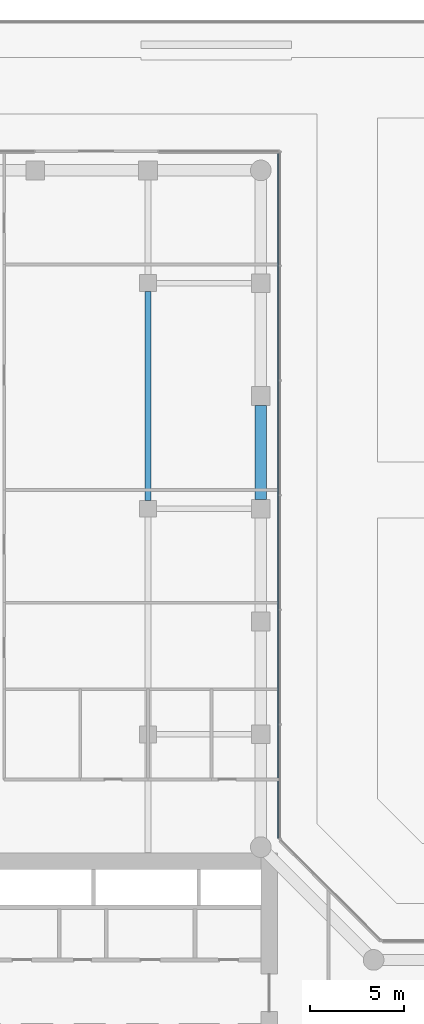
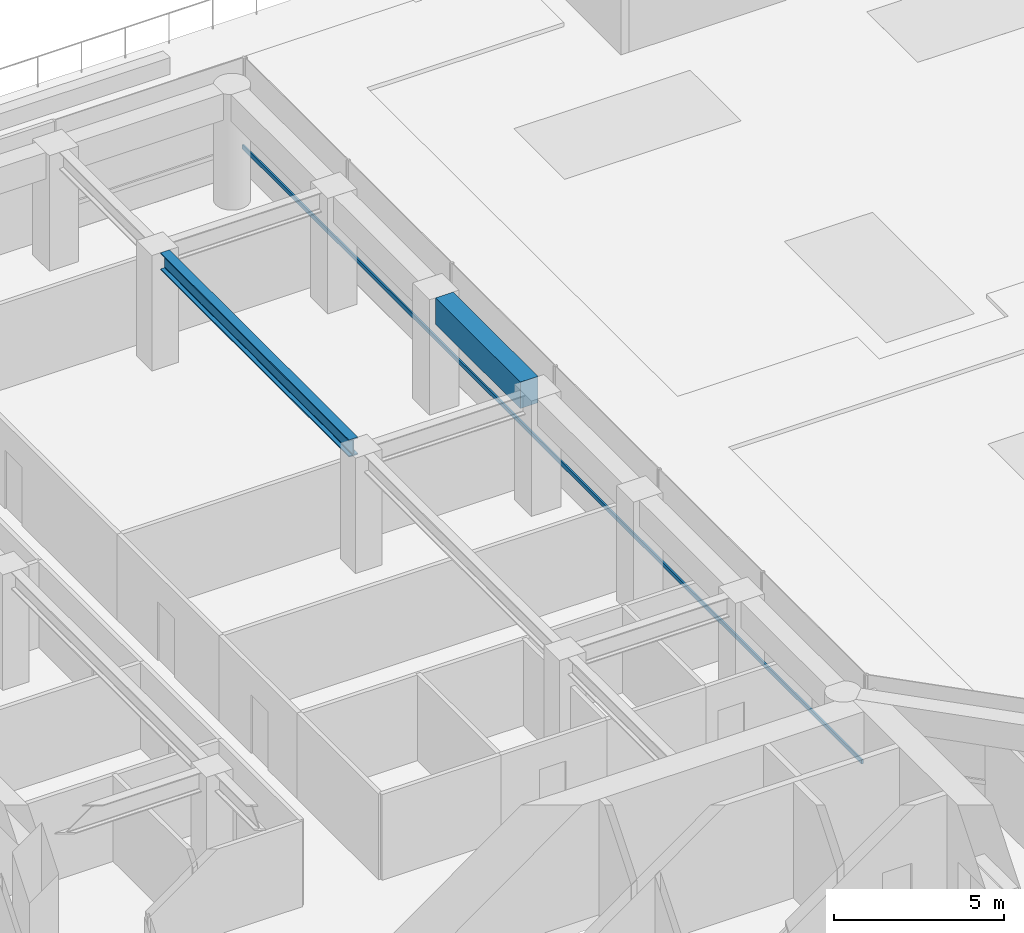
# One storey, part 17 of 31: 2 beams, 1 member, 1 element without a shape of its own.
"""IFC4 building model written with IfcOpenShell, lengths in metres."""

from ifc_helpers import new_model, si_unit, direction, frame, origin, origin_2d, place, context, subcontext, project, spatial, rectangle, i_section, extrude, material, layer, layer_set, material_profile, profile_set, type_object, element, aggregate, save


model = new_model("IFC4")

# Units and contexts
model_context = context("Model", 3, precision=1e-05, world=origin(), true_north=direction((0.0, 1.0)))
body_context = subcontext(model_context, "Body", "Model", "MODEL_VIEW")
ifc_project = project(units=[si_unit("LENGTHUNIT", "METRE"), si_unit("AREAUNIT", "SQUARE_METRE"), si_unit("VOLUMEUNIT", "CUBIC_METRE"), si_unit("PLANEANGLEUNIT", "RADIAN"), si_unit("MASSUNIT", "GRAM", prefix="KILO")], contexts=[model_context])

# Site, building, storey
site_placement = place(None, origin())
site = spatial("IfcSite", under=ifc_project, at=site_placement, CompositionType="ELEMENT")
building_placement = place(site_placement, origin())
building = spatial("IfcBuilding", under=site, at=building_placement, Name="Welwitschia Terrace Campus", CompositionType="ELEMENT")
storey_placement = place(building_placement, frame((0.0, 0.0, 11.0)))
storey = spatial("IfcBuildingStorey", under=building, at=storey_placement, Name="L02", CompositionType="ELEMENT", Elevation=11.0)

# Beams
ifc_material_1 = material(Name="Steel S355", Category="steel")
ifc_material_profile_1 = material_profile(ifc_material_1, i_section(OverallWidth=0.304931640625, OverallDepth=0.6201171875, WebThickness=0.02099609375, FlangeThickness=0.0400390625, FilletRadius=0.027099609375, at=origin_2d()))
ifc_profile_set_1 = profile_set([ifc_material_profile_1], Name="Steel S355")
beam_type_1 = type_object("IfcBeamType", Name="Interior girder HE 600 M", PredefinedType="BEAM", material=ifc_profile_set_1)
beam_1_placement = place(storey_placement, frame((18.0, 44.450439453125, 3.840087890625), z_axis=(0.0, 1.0, 0.0), x_axis=(-1.0, 0.0, 0.0)))
element("IfcBeam", 1, at=beam_1_placement, inside=storey, type_object=beam_type_1, Name="Girder GB1", PredefinedType="BEAM", context=body_context, shape_type="SweptSolid", body=[
    extrude(i_section(OverallWidth=0.304931640625, OverallDepth=0.6201171875, WebThickness=0.02099609375, FlangeThickness=0.0400390625, FilletRadius=0.027099609375, at=origin_2d()), origin(), (0.0, 0.0, 1.0), 11.09912109375),
])
ifc_material_2 = material(Name="Concrete C60/75", Category="concrete")
ifc_material_profile_2 = material_profile(ifc_material_2, rectangle(XDim=0.60009765625, YDim=0.949951171875, at=origin_2d()))
ifc_profile_set_2 = profile_set([ifc_material_profile_2], Name="Concrete C60/75")
beam_type_2 = type_object("IfcBeamType", Name="Ring spandrel 600x950", PredefinedType="SPANDREL", material=ifc_profile_set_2)
beam_2_placement = place(storey_placement, frame((24.0, 44.50048828125, 3.675048828125), z_axis=(0.0, 1.0, 0.0), x_axis=(-1.0, 0.0, 0.0)))
element("IfcBeam", 2, at=beam_2_placement, inside=storey, type_object=beam_type_2, Name="Spandrel SP1", PredefinedType="SPANDREL", context=body_context, shape_type="SweptSolid", body=[
    extrude(rectangle(XDim=0.60009765625, YDim=0.949951171875, at=origin_2d()), origin(), (0.0, 0.0, 1.0), 4.9990234375),
])

# Curtain wall, member
ifc_material_3 = material(Name="Bronze anodised aluminium", Category="aluminium")
ifc_layer = layer(ifc_material_3, 0.1201171875)
ifc_layer_set = layer_set([ifc_layer], Name="Bronze anodised aluminium")
curtain_wall_type = type_object("IfcCurtainWallType", Name="Curtain wall CW2 tower 6000", PredefinedType="NOTDEFINED", material=ifc_layer_set)
curtain_wall_placement = place(storey_placement, origin())
curtain_wall = element("IfcCurtainWall", 3, at=curtain_wall_placement, inside=storey, type_object=curtain_wall_type, Name="CW L02.7.0", PredefinedType="NOTDEFINED")
ifc_material_4 = material(Name="Bronze anodised aluminium", Category="aluminium")
ifc_material_profile_3 = material_profile(ifc_material_4, rectangle(XDim=0.06005859375, YDim=0.14990234375, at=origin_2d()))
ifc_profile_set_3 = profile_set([ifc_material_profile_3], Name="Bronze anodised aluminium")
member_type = type_object("IfcMemberType", Name="Transom 60x150", PredefinedType="USERDEFINED", material=ifc_profile_set_3)
member_placement = place(storey_placement, frame((24.929931640625, 26.482421875, 1.0), z_axis=(0.0, 1.0, 0.0), x_axis=(-1.0, 0.0, 0.0)))
member = element("IfcMember", 4, at=member_placement, type_object=member_type, Name="Transom L02.7.0", ObjectType="TRANSOM", PredefinedType="USERDEFINED", context=body_context, shape_type="SweptSolid", body=[
    extrude(rectangle(XDim=0.06005859375, YDim=0.14990234375, at=origin_2d()), origin(), (0.0, 0.0, 1.0), 36.4775390625),
])
aggregate(curtain_wall, [member])

save(model, "model.ifc")
